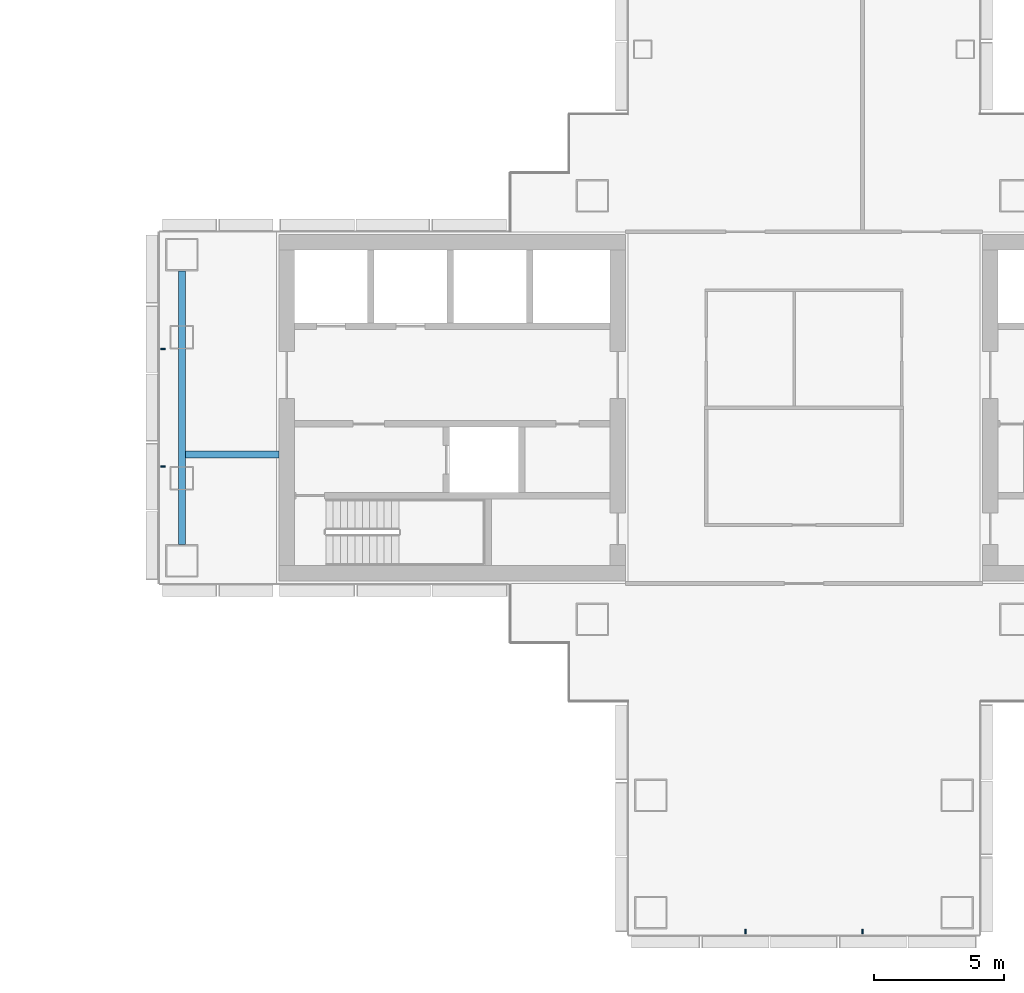
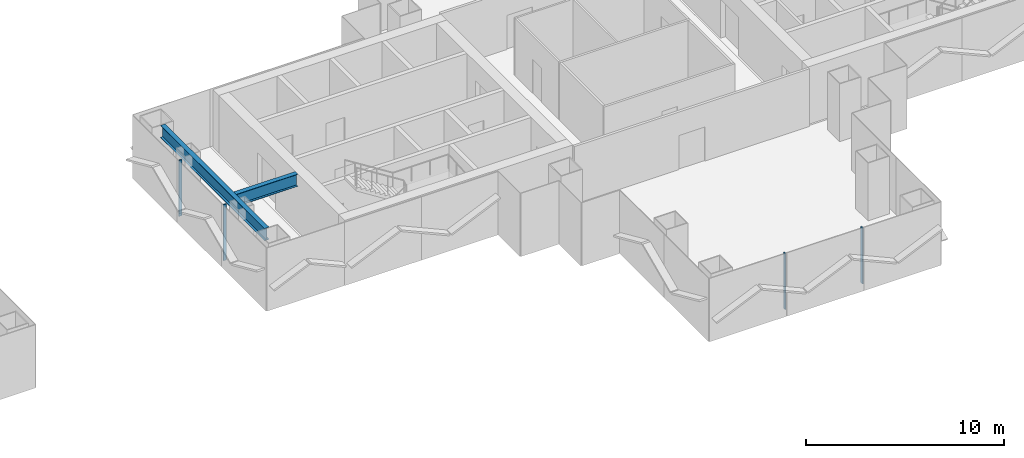
# One storey, part 5 of 19: 4 members, 2 beams, 2 elements without a shape of their own.
"""IFC4 building model written with IfcOpenShell, lengths in metres."""

from ifc_helpers import new_model, si_unit, direction, frame, origin, origin_2d, place, context, subcontext, project, spatial, rectangle, i_section, extrude, material, layer, layer_set, material_profile, profile_set, type_object, element, aggregate, save


model = new_model("IFC4")

# Units and contexts
model_context = context("Model", 3, precision=1e-05, world=origin(), true_north=direction((0.0, 1.0)))
body_context = subcontext(model_context, "Body", "Model", "MODEL_VIEW")
ifc_project = project(units=[si_unit("LENGTHUNIT", "METRE"), si_unit("AREAUNIT", "SQUARE_METRE"), si_unit("VOLUMEUNIT", "CUBIC_METRE"), si_unit("PLANEANGLEUNIT", "RADIAN"), si_unit("MASSUNIT", "GRAM", prefix="KILO")], contexts=[model_context])

# Site, building, storey
site_placement = place(None, origin())
site = spatial("IfcSite", under=ifc_project, at=site_placement, CompositionType="ELEMENT")
building_placement = place(site_placement, origin())
building = spatial("IfcBuilding", under=site, at=building_placement, Name="Shamsa Quay Exchange Towers", CompositionType="ELEMENT")
storey_placement = place(building_placement, frame((0.0, 0.0, 85.800048828125)))
storey = spatial("IfcBuildingStorey", under=building, at=storey_placement, Name="L19", CompositionType="ELEMENT", Elevation=85.800048828125)

# Curtain wall, members
ifc_material_1 = material(Name="Aluminium EN AW-6063 T6, black anodised", Category="aluminium")
ifc_layer = layer(ifc_material_1, 0.280029296875)
ifc_layer_set = layer_set([ifc_layer], Name="CW-1 UNITISED VISION GLASS")
curtain_wall_type = type_object("IfcCurtainWallType", Name="CW-1 UNITISED VISION GLASS", PredefinedType="NOTDEFINED", material=ifc_layer_set)
curtain_wall_1_placement = place(storey_placement, origin())
curtain_wall_1 = element("IfcCurtainWall", 1, at=curtain_wall_1_placement, inside=storey, type_object=curtain_wall_type, Name="CW1 T2-END-V+ L19", PredefinedType="NOTDEFINED")
ifc_material_profile_1 = material_profile(ifc_material_1, rectangle(XDim=0.179931640625, YDim=0.06005859375, at=origin_2d()), Name="MU60x180")
ifc_profile_set_1 = profile_set([ifc_material_profile_1], Name="Aluminium EN AW-6063 T6, black anodised")
member_type = type_object("IfcMemberType", Name="CW1 MULLION 60x180", PredefinedType="MULLION", material=ifc_profile_set_1)
member_1_placement = place(storey_placement, frame((9.14990234375, 2.25, 0.0)))
member_1 = element("IfcMember", 2, at=member_1_placement, type_object=member_type, Name="CW1 mullion", PredefinedType="MULLION", context=body_context, shape_type="SweptSolid", body=[
    extrude(rectangle(XDim=0.179931640625, YDim=0.06005859375, at=origin_2d()), origin(), (0.0, 0.0, 1.0), 3.449951171875),
])
member_2_placement = place(storey_placement, frame((9.14990234375, -2.25, 0.0)))
member_2 = element("IfcMember", 3, at=member_2_placement, type_object=member_type, Name="CW1 mullion", PredefinedType="MULLION", context=body_context, shape_type="SweptSolid", body=[
    extrude(rectangle(XDim=0.179931640625, YDim=0.06005859375, at=origin_2d()), origin(), (0.0, 0.0, 1.0), 3.449951171875),
])
aggregate(curtain_wall_1, [member_1, member_2])

curtain_wall_2_placement = place(storey_placement, origin())
curtain_wall_2 = element("IfcCurtainWall", 4, at=curtain_wall_2_placement, inside=storey, type_object=curtain_wall_type, Name="CW1 T2-END-U- L19", PredefinedType="NOTDEFINED")
member_3_placement = place(storey_placement, frame((31.5, -20.10009765625, 0.0), z_axis=(0.0, 0.0, 1.0), x_axis=(0.0, 1.0, 0.0)))
member_3 = element("IfcMember", 5, at=member_3_placement, type_object=member_type, Name="CW1 mullion", PredefinedType="MULLION", context=body_context, shape_type="SweptSolid", body=[
    extrude(rectangle(XDim=0.179931640625, YDim=0.06005859375, at=origin_2d()), origin(), (0.0, 0.0, 1.0), 3.449951171875),
])
member_4_placement = place(storey_placement, frame((36.0, -20.10009765625, 0.0), z_axis=(0.0, 0.0, 1.0), x_axis=(0.0, 1.0, 0.0)))
member_4 = element("IfcMember", 6, at=member_4_placement, type_object=member_type, Name="CW1 mullion", PredefinedType="MULLION", context=body_context, shape_type="SweptSolid", body=[
    extrude(rectangle(XDim=0.179931640625, YDim=0.06005859375, at=origin_2d()), origin(), (0.0, 0.0, 1.0), 3.449951171875),
])
aggregate(curtain_wall_2, [member_3, member_4])

# Beams
ifc_material_2 = material(Name="Steel S355", Category="steel")
ifc_material_profile_2 = material_profile(ifc_material_2, i_section(OverallWidth=0.26611328125, OverallDepth=0.7578125, WebThickness=0.013916015625, FlangeThickness=0.019287109375, at=origin_2d()), Name="W30x108")
ifc_profile_set_2 = profile_set([ifc_material_profile_2], Name="Steel S355")
beam_type = type_object("IfcBeamType", Name="End-zone beam W30x108", PredefinedType="BEAM", material=ifc_profile_set_2)
beam_1_placement = place(storey_placement, frame((9.875, -5.25, 3.171142578125), z_axis=(0.0, 1.0, 0.0), x_axis=(-1.0, 0.0, 0.0)))
element("IfcBeam", 7, at=beam_1_placement, inside=storey, type_object=beam_type, Name="End beam T2 V+ end zone L19", PredefinedType="BEAM", context=body_context, shape_type="SweptSolid", body=[
    extrude(i_section(OverallWidth=0.26611328125, OverallDepth=0.7578125, WebThickness=0.013916015625, FlangeThickness=0.019287109375, at=origin_2d()), origin(), (0.0, 0.0, 1.0), 10.5),
])
beam_2_placement = place(storey_placement, frame((13.60009765625, -1.800048828125, 3.171142578125), z_axis=(-1.0, 0.0, 0.0), x_axis=(0.0, -1.0, 0.0)))
element("IfcBeam", 8, at=beam_2_placement, inside=storey, type_object=beam_type, Name="Spine beam T2 V+ end zone L19", PredefinedType="BEAM", context=body_context, shape_type="SweptSolid", body=[
    extrude(i_section(OverallWidth=0.26611328125, OverallDepth=0.7578125, WebThickness=0.013916015625, FlangeThickness=0.019287109375, at=origin_2d()), origin(), (0.0, 0.0, 1.0), 3.592041015625),
])

save(model, "model.ifc")
